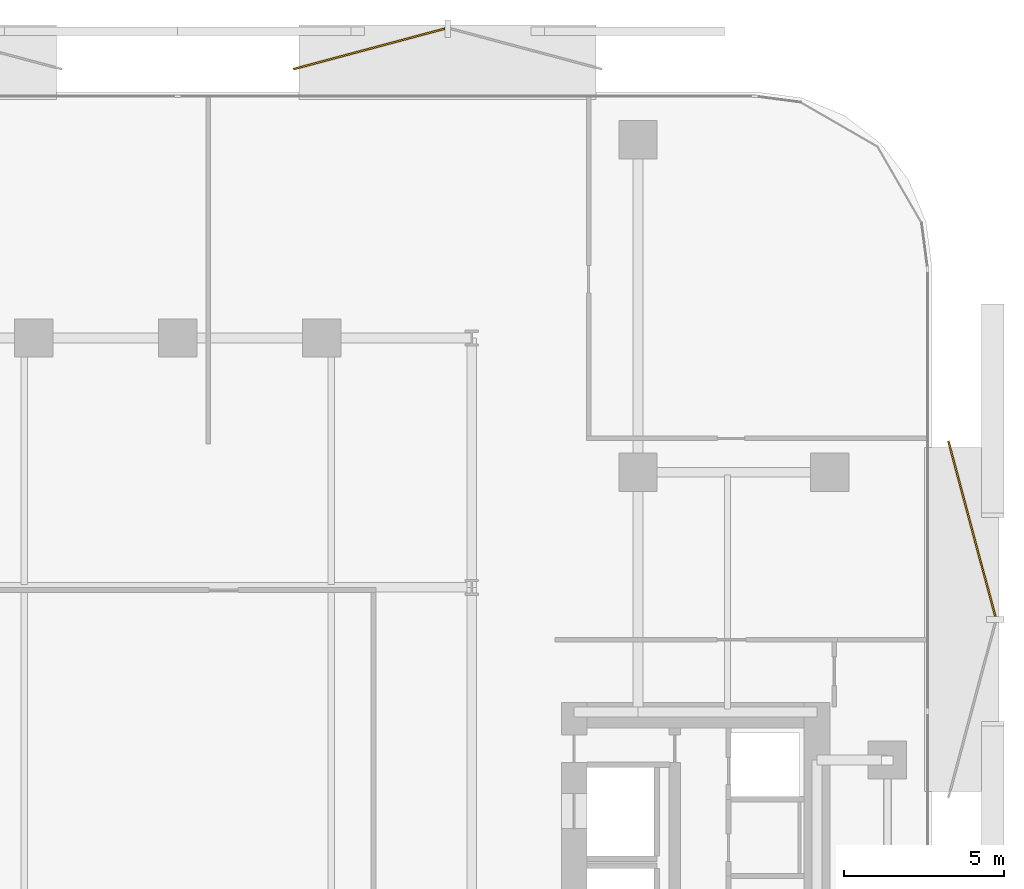
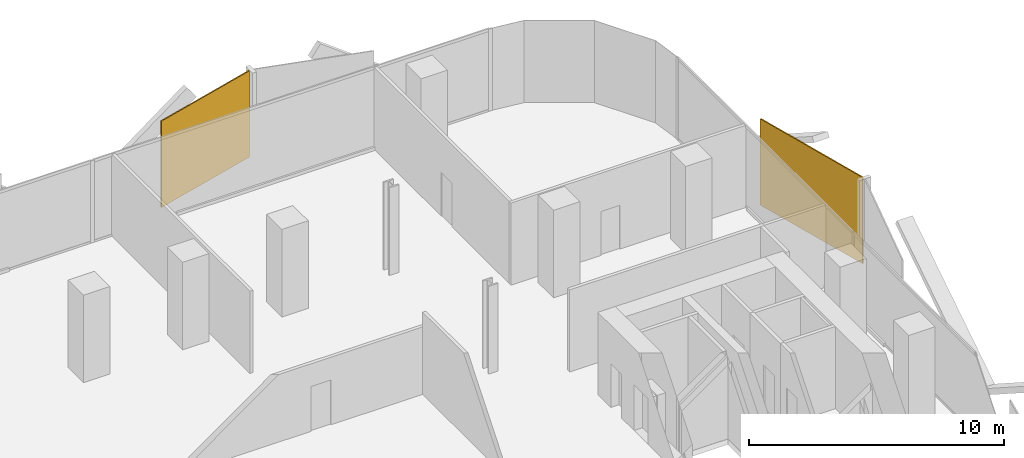
# One storey, part 15 of 15: 2 coverings.
"""IFC4 building model written with IfcOpenShell, lengths in metres."""

from ifc_helpers import new_model, si_unit, direction, frame, origin, origin_2d, place, context, subcontext, project, spatial, rectangle, extrude, material, layer, layer_set, type_object, element, save


model = new_model("IFC4")

# Units and contexts
model_context = context("Model", 3, precision=1e-05, world=origin(), true_north=direction((0.0, 1.0)))
body_context = subcontext(model_context, "Body", "Model", "MODEL_VIEW")
ifc_project = project(units=[si_unit("LENGTHUNIT", "METRE"), si_unit("AREAUNIT", "SQUARE_METRE"), si_unit("VOLUMEUNIT", "CUBIC_METRE"), si_unit("PLANEANGLEUNIT", "RADIAN"), si_unit("MASSUNIT", "GRAM", prefix="KILO")], contexts=[model_context])

# Site, building, storey
site_placement = place(None, origin())
site = spatial("IfcSite", under=ifc_project, at=site_placement, CompositionType="ELEMENT")
building_placement = place(site_placement, origin())
building = spatial("IfcBuilding", under=site, at=building_placement, Name="Khairoan Windgate Tower", CompositionType="ELEMENT")
storey_placement = place(building_placement, frame((0.0, 0.0, 143.60009765625)))
storey = spatial("IfcBuildingStorey", under=building, at=storey_placement, Name="L33", CompositionType="ELEMENT", Elevation=143.60009765625)

# Coverings
ifc_material = material(Name="Anodised Bronze Aluminium 6063-T6", Category="aluminium")
ifc_layer = layer(ifc_material, 0.054931640625, Name="Anodised Bronze Aluminium 6063-T6")
ifc_layer_set = layer_set([ifc_layer], Name="Anodised Bronze Aluminium 6063-T6")
covering_type = type_object("IfcCoveringType", Name="Perforated Bronze-Ceramic Folded Solar Screen Cladding BSC-1", PredefinedType="CLADDING", material=ifc_layer_set)
covering_1_placement = place(storey_placement, frame((5.98974609375, 27.646240234375, -0.10009765625), z_axis=(0.0, 0.0, 1.0), x_axis=(0.965925826289, 0.258819045103, 0.0)))
element("IfcCovering", 1, at=covering_1_placement, inside=storey, type_object=covering_type, Name="L33 Folded Bronze Solar Screen Facet 214L", PredefinedType="CLADDING", context=body_context, shape_type="SweptSolid", body=[
    extrude(rectangle(XDim=4.89794921875, YDim=0.054931640625, at=origin_2d()), origin(), (0.0, 0.0, 1.0), 4.139892578125),
])
covering_2_placement = place(storey_placement, frame((24.8447265625, 12.629150390625, -0.10009765625), z_axis=(0.0, 0.0, 1.0), x_axis=(0.258819045103, -0.965925826289, 0.0)))
element("IfcCovering", 2, at=covering_2_placement, inside=storey, type_object=covering_type, Name="L33 Folded Bronze Solar Screen Facet 215L", PredefinedType="CLADDING", context=body_context, shape_type="SweptSolid", body=[
    extrude(rectangle(XDim=5.680908203125, YDim=0.054931640625, at=origin_2d()), origin(), (0.0, 0.0, 1.0), 4.139892578125),
])

save(model, "model.ifc")
